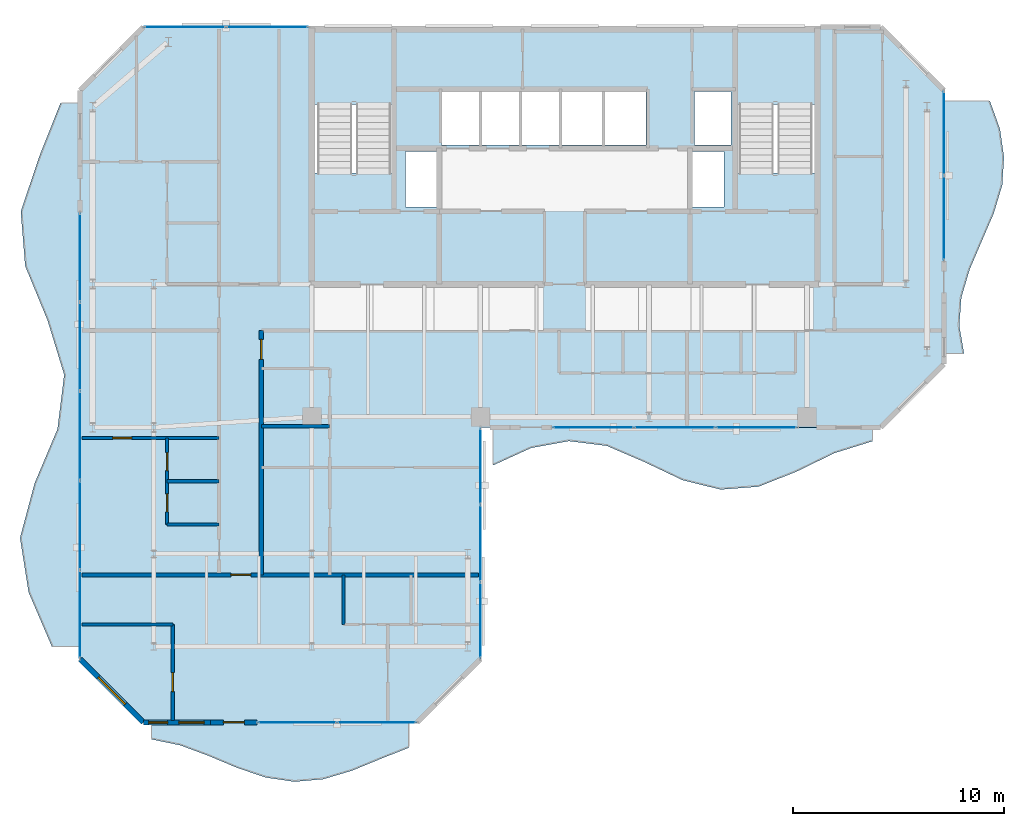
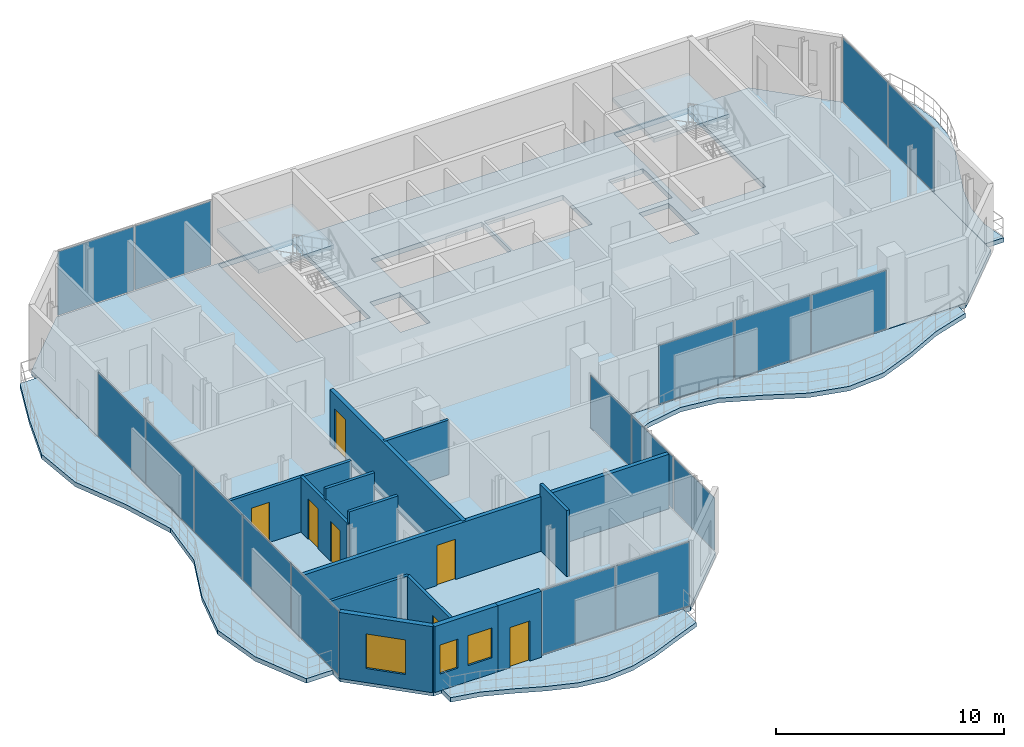
# One storey, part 17 of 22: 17 plates, 13 walls, 7 doors, 7 slabs, 3 windows, 10 openings, 8 elements without a shape of their own.
"""IFC4 building model written with IfcOpenShell, lengths in metres."""

from ifc_helpers import new_model, si_unit, direction, frame, frame_2d, origin, origin_2d, place, context, subcontext, project, spatial, polyline, rectangle, outline, extrude, material, layer, layer_set, type_object, element, fill, aggregate, save


model = new_model("IFC4")

# Units and contexts
model_context = context("Model", 3, precision=1e-05, world=origin(), true_north=direction((0.0, 1.0)))
body_context = subcontext(model_context, "Body", "Model", "MODEL_VIEW")
ifc_project = project(units=[si_unit("LENGTHUNIT", "METRE"), si_unit("AREAUNIT", "SQUARE_METRE"), si_unit("VOLUMEUNIT", "CUBIC_METRE"), si_unit("PLANEANGLEUNIT", "RADIAN"), si_unit("MASSUNIT", "GRAM", prefix="KILO")], contexts=[model_context])

# Site, building, storey
site_placement = place(None, origin())
site = spatial("IfcSite", under=ifc_project, at=site_placement, CompositionType="ELEMENT")
building_placement = place(site_placement, origin())
building = spatial("IfcBuilding", under=site, at=building_placement, Name="Catumbela Crestline Tower", CompositionType="ELEMENT")
storey_placement = place(building_placement, frame((0.0, 0.0, 218.4)))
storey = spatial("IfcBuildingStorey", under=building, at=storey_placement, Name="L56", CompositionType="ELEMENT", Elevation=218.4)

# Curtain wall, plates
ifc_material_1 = material(Name="Aluminium alloy AW-6060-T66", Category="aluminium")
ifc_layer_1 = layer(ifc_material_1, 0.18, Name="Aluminium alloy AW-6060-T66")
ifc_layer_set_1 = layer_set([ifc_layer_1], Name="Aluminium alloy AW-6060-T66")
curtain_wall_type = type_object("IfcCurtainWallType", Name="CWU-Z4", PredefinedType="USERDEFINED", material=ifc_layer_set_1)
curtain_wall_1_placement = place(storey_placement, origin())
curtain_wall_1 = element("IfcCurtainWall", 1, at=curtain_wall_1_placement, inside=storey, type_object=curtain_wall_type, Name="L56 Unitised Curtain Wall CW-L56-E0S2", ObjectType="UNITISED", PredefinedType="USERDEFINED")
ifc_material_2 = material(Name="Low-E laminated solar-control double glazing", Category="glass")
ifc_layer_2 = layer(ifc_material_2, 0.036, Name="Low-E laminated solar-control double glazing")
ifc_layer_set_2 = layer_set([ifc_layer_2], Name="Low-E laminated solar-control double glazing")
plate_type = type_object("IfcPlateType", Name="PNL-GLZ-Z4", PredefinedType="CURTAIN_PANEL", material=ifc_layer_set_2)
plate_1_placement = place(storey_placement, frame((15.3162, 10.0, 0.06), z_axis=(0.0, 0.0, 1.0), x_axis=(1.0, 0.0, 0.0)))
plate_1 = element("IfcPlate", 2, at=plate_1_placement, type_object=plate_type, Name="CWU-Z4 panel 1.1", PredefinedType="CURTAIN_PANEL", context=body_context, shape_type="SweptSolid", body=[
    extrude(rectangle(XDim=3.7025, YDim=0.034, at=origin_2d()), origin(), (0.0, 0.0, 1.0), 3.41),
])
plate_2_placement = place(storey_placement, frame((19.0837, 10.0, 0.06), z_axis=(0.0, 0.0, 1.0), x_axis=(1.0, 0.0, 0.0)))
plate_2 = element("IfcPlate", 3, at=plate_2_placement, type_object=plate_type, Name="CWU-Z4 panel 2.1", PredefinedType="CURTAIN_PANEL", context=body_context, shape_type="SweptSolid", body=[
    extrude(rectangle(XDim=3.7025, YDim=0.034, at=origin_2d()), origin(), (0.0, 0.0, 1.0), 3.41),
])
aggregate(curtain_wall_1, [plate_1, plate_2])

curtain_wall_2_placement = place(storey_placement, origin())
curtain_wall_2 = element("IfcCurtainWall", 4, at=curtain_wall_2_placement, inside=storey, type_object=curtain_wall_type, Name="L56 Unitised Curtain Wall CW-L56-E2S1", ObjectType="UNITISED", PredefinedType="USERDEFINED")
plate_3_placement = place(storey_placement, frame((24.0, 14.8496, 0.06), z_axis=(0.0, 0.0, 1.0), x_axis=(0.0, 1.0, 0.0)))
plate_3 = element("IfcPlate", 5, at=plate_3_placement, type_object=plate_type, Name="CWU-Z4 panel 1.1", PredefinedType="CURTAIN_PANEL", context=body_context, shape_type="SweptSolid", body=[
    extrude(rectangle(XDim=3.5692, YDim=0.034, at=origin_2d()), origin(), (0.0, 0.0, 1.0), 2.8),
])
plate_4_placement = place(storey_placement, frame((24.0, 18.5, 0.06), z_axis=(0.0, 0.0, 1.0), x_axis=(0.0, 1.0, 0.0)))
plate_4 = element("IfcPlate", 6, at=plate_4_placement, type_object=plate_type, Name="CWU-Z4 panel 2.1", PredefinedType="CURTAIN_PANEL", context=body_context, shape_type="SweptSolid", body=[
    extrude(rectangle(XDim=3.6017, YDim=0.034, at=origin_2d()), origin(), (0.0, 0.0, 1.0), 2.8),
])
plate_5_placement = place(storey_placement, frame((24.0, 22.1504, 0.06), z_axis=(0.0, 0.0, 1.0), x_axis=(0.0, 1.0, 0.0)))
plate_5 = element("IfcPlate", 7, at=plate_5_placement, type_object=plate_type, Name="CWU-Z4 panel 3.1", PredefinedType="CURTAIN_PANEL", context=body_context, shape_type="SweptSolid", body=[
    extrude(rectangle(XDim=3.5692, YDim=0.034, at=origin_2d()), origin(), (0.0, 0.0, 1.0), 2.8),
])
aggregate(curtain_wall_2, [plate_3, plate_4, plate_5])

curtain_wall_3_placement = place(storey_placement, origin())
curtain_wall_3 = element("IfcCurtainWall", 8, at=curtain_wall_3_placement, inside=storey, type_object=curtain_wall_type, Name="L56 Unitised Curtain Wall CW-L56-E3S2", ObjectType="UNITISED", PredefinedType="USERDEFINED")
plate_6_placement = place(storey_placement, frame((29.3579, 24.0, 0.06), z_axis=(0.0, 0.0, 1.0), x_axis=(1.0, 0.0, 0.0)))
plate_6 = element("IfcPlate", 9, at=plate_6_placement, type_object=plate_type, Name="CWU-Z4 panel 1.1", PredefinedType="CURTAIN_PANEL", context=body_context, shape_type="SweptSolid", body=[
    extrude(rectangle(XDim=3.7858, YDim=0.034, at=origin_2d()), origin(), (0.0, 0.0, 1.0), 3.12),
])
plate_7_placement = place(storey_placement, frame((33.225, 24.0, 0.06), z_axis=(0.0, 0.0, 1.0), x_axis=(1.0, 0.0, 0.0)))
plate_7 = element("IfcPlate", 10, at=plate_7_placement, type_object=plate_type, Name="CWU-Z4 panel 2.1", PredefinedType="CURTAIN_PANEL", context=body_context, shape_type="SweptSolid", body=[
    extrude(rectangle(XDim=3.8183, YDim=0.034, at=origin_2d()), origin(), (0.0, 0.0, 1.0), 3.12),
])
plate_8_placement = place(storey_placement, frame((37.0921, 24.0, 0.06), z_axis=(0.0, 0.0, 1.0), x_axis=(1.0, 0.0, 0.0)))
plate_8 = element("IfcPlate", 11, at=plate_8_placement, type_object=plate_type, Name="CWU-Z4 panel 3.1", PredefinedType="CURTAIN_PANEL", context=body_context, shape_type="SweptSolid", body=[
    extrude(rectangle(XDim=3.7858, YDim=0.034, at=origin_2d()), origin(), (0.0, 0.0, 1.0), 3.12),
])
aggregate(curtain_wall_3, [plate_6, plate_7, plate_8])

curtain_wall_4_placement = place(storey_placement, origin())
curtain_wall_4 = element("IfcCurtainWall", 12, at=curtain_wall_4_placement, inside=storey, type_object=curtain_wall_type, Name="L56 Unitised Curtain Wall CW-L56-E5S2", ObjectType="UNITISED", PredefinedType="USERDEFINED")
plate_9_placement = place(storey_placement, frame((46.0, 33.9412, 0.06), z_axis=(0.0, 0.0, 1.0), x_axis=(0.0, 1.0, 0.0)))
plate_9 = element("IfcPlate", 13, at=plate_9_placement, type_object=plate_type, Name="CWU-Z4 panel 1.1", PredefinedType="CURTAIN_PANEL", context=body_context, shape_type="SweptSolid", body=[
    extrude(rectangle(XDim=3.9525, YDim=0.034, at=origin_2d()), origin(), (0.0, 0.0, 1.0), 3.41),
])
plate_10_placement = place(storey_placement, frame((46.0, 37.9588, 0.06), z_axis=(0.0, 0.0, 1.0), x_axis=(0.0, 1.0, 0.0)))
plate_10 = element("IfcPlate", 14, at=plate_10_placement, type_object=plate_type, Name="CWU-Z4 panel 2.1", PredefinedType="CURTAIN_PANEL", context=body_context, shape_type="SweptSolid", body=[
    extrude(rectangle(XDim=3.9525, YDim=0.034, at=origin_2d()), origin(), (0.0, 0.0, 1.0), 3.41),
])
aggregate(curtain_wall_4, [plate_9, plate_10])

curtain_wall_5_placement = place(storey_placement, origin())
curtain_wall_5 = element("IfcCurtainWall", 15, at=curtain_wall_5_placement, inside=storey, type_object=curtain_wall_type, Name="L56 Unitised Curtain Wall CW-L56-E7S2", ObjectType="UNITISED", PredefinedType="USERDEFINED")
plate_11_placement = place(storey_placement, frame((13.8788, 43.0, 0.06), z_axis=(0.0, 0.0, 1.0), x_axis=(-1.0, 0.0, 0.0)))
plate_11 = element("IfcPlate", 16, at=plate_11_placement, type_object=plate_type, Name="CWU-Z4 panel 1.1", PredefinedType="CURTAIN_PANEL", context=body_context, shape_type="SweptSolid", body=[
    extrude(rectangle(XDim=3.8325, YDim=0.034, at=origin_2d()), origin(), (0.0, 0.0, 1.0), 3.41),
])
plate_12_placement = place(storey_placement, frame((9.9812, 43.0, 0.06), z_axis=(0.0, 0.0, 1.0), x_axis=(-1.0, 0.0, 0.0)))
plate_12 = element("IfcPlate", 17, at=plate_12_placement, type_object=plate_type, Name="CWU-Z4 panel 2.1", PredefinedType="CURTAIN_PANEL", context=body_context, shape_type="SweptSolid", body=[
    extrude(rectangle(XDim=3.8325, YDim=0.034, at=origin_2d()), origin(), (0.0, 0.0, 1.0), 3.41),
])
aggregate(curtain_wall_5, [plate_11, plate_12])

curtain_wall_6_placement = place(storey_placement, origin())
curtain_wall_6 = element("IfcCurtainWall", 18, at=curtain_wall_6_placement, inside=storey, type_object=curtain_wall_type, Name="L56 Unitised Curtain Wall CW-L56-E9S2", ObjectType="UNITISED", PredefinedType="USERDEFINED")
plate_13_placement = place(storey_placement, frame((5.0, 32.0638, 0.06), z_axis=(0.0, 0.0, 1.0), x_axis=(0.0, -1.0, 0.0)))
plate_13 = element("IfcPlate", 19, at=plate_13_placement, type_object=plate_type, Name="CWU-Z4 panel 1.1", PredefinedType="CURTAIN_PANEL", context=body_context, shape_type="SweptSolid", body=[
    extrude(rectangle(XDim=4.1425, YDim=0.034, at=origin_2d()), origin(), (0.0, 0.0, 1.0), 3.41),
])
plate_14_placement = place(storey_placement, frame((5.0, 27.84, 0.06), z_axis=(0.0, 0.0, 1.0), x_axis=(0.0, -1.0, 0.0)))
plate_14 = element("IfcPlate", 20, at=plate_14_placement, type_object=plate_type, Name="CWU-Z4 panel 2.1", PredefinedType="CURTAIN_PANEL", context=body_context, shape_type="SweptSolid", body=[
    extrude(rectangle(XDim=4.175, YDim=0.034, at=origin_2d()), origin(), (0.0, 0.0, 1.0), 3.41),
])
plate_15_placement = place(storey_placement, frame((5.0, 23.6, 0.06), z_axis=(0.0, 0.0, 1.0), x_axis=(0.0, -1.0, 0.0)))
plate_15 = element("IfcPlate", 21, at=plate_15_placement, type_object=plate_type, Name="CWU-Z4 panel 3.1", PredefinedType="CURTAIN_PANEL", context=body_context, shape_type="SweptSolid", body=[
    extrude(rectangle(XDim=4.175, YDim=0.034, at=origin_2d()), origin(), (0.0, 0.0, 1.0), 3.41),
])
plate_16_placement = place(storey_placement, frame((5.0, 19.36, 0.06), z_axis=(0.0, 0.0, 1.0), x_axis=(0.0, -1.0, 0.0)))
plate_16 = element("IfcPlate", 22, at=plate_16_placement, type_object=plate_type, Name="CWU-Z4 panel 4.1", PredefinedType="CURTAIN_PANEL", context=body_context, shape_type="SweptSolid", body=[
    extrude(rectangle(XDim=4.175, YDim=0.034, at=origin_2d()), origin(), (0.0, 0.0, 1.0), 3.41),
])
plate_17_placement = place(storey_placement, frame((5.0, 15.1362, 0.06), z_axis=(0.0, 0.0, 1.0), x_axis=(0.0, -1.0, 0.0)))
plate_17 = element("IfcPlate", 23, at=plate_17_placement, type_object=plate_type, Name="CWU-Z4 panel 5.1", PredefinedType="CURTAIN_PANEL", context=body_context, shape_type="SweptSolid", body=[
    extrude(rectangle(XDim=4.1425, YDim=0.034, at=origin_2d()), origin(), (0.0, 0.0, 1.0), 3.41),
])
aggregate(curtain_wall_6, [plate_13, plate_14, plate_15, plate_16, plate_17])

# Stair, slab
ifc_material_3 = material(Name="Concrete C45/55", Category="concrete")
stair_type = type_object("IfcStairType", Name="ST-DLG", PredefinedType="HALF_TURN_STAIR", material=ifc_material_3)
stair_1_placement = place(storey_placement, origin())
stair_1 = element("IfcStair", 24, at=stair_1_placement, inside=storey, type_object=stair_type, Name="L56 West Core Pressurised Exit Stair ST-01", PredefinedType="HALF_TURN_STAIR")
ifc_layer_3 = layer(ifc_material_3, 0.2, Name="Concrete C45/55")
ifc_layer_set_3 = layer_set([ifc_layer_3], Name="Concrete C45/55")
slab_type_1 = type_object("IfcSlabType", Name="SL-LND", PredefinedType="LANDING", material=ifc_layer_set_3)
slab_1_placement = place(storey_placement, frame((0.0, 0.0, 1.7)))
slab_1 = element("IfcSlab", 25, at=slab_1_placement, type_object=slab_type_1, Name="ST-01 landing 1", PredefinedType="LANDING", context=body_context, shape_type="SweptSolid", body=[
    extrude(outline(polyline([(19.91, 39.33), (19.91, 42.96), (16.09, 42.96), (16.09, 39.33), (19.91, 39.33)])), origin(), (0.0, 0.0, 1.0), 0.2),
])
aggregate(stair_1, [slab_1])

stair_2_placement = place(storey_placement, origin())
stair_2 = element("IfcStair", 26, at=stair_2_placement, inside=storey, type_object=stair_type, Name="L56 East Core Pressurised Exit Stair ST-02", PredefinedType="HALF_TURN_STAIR")
slab_2_placement = place(storey_placement, frame((0.0, 0.0, 1.7)))
slab_2 = element("IfcSlab", 27, at=slab_2_placement, type_object=slab_type_1, Name="ST-02 landing 1", PredefinedType="LANDING", context=body_context, shape_type="SweptSolid", body=[
    extrude(outline(polyline([(39.91, 39.33), (39.91, 42.96), (36.09, 42.96), (36.09, 39.33), (39.91, 39.33)])), origin(), (0.0, 0.0, 1.0), 0.2),
])
aggregate(stair_2, [slab_2])

# Slabs
ifc_layer_4 = layer(ifc_material_3, 0.26, Name="Concrete C45/55")
ifc_layer_set_4 = layer_set([ifc_layer_4], Name="Concrete C45/55")
slab_type_2 = type_object("IfcSlabType", Name="SL-260", PredefinedType="FLOOR", material=ifc_layer_set_4)
slab_3_placement = place(storey_placement, frame((0.0, 0.0, -0.26)))
element("IfcSlab", 28, at=slab_3_placement, inside=storey, type_object=slab_type_2, Name="L56 Structural Floor Slab", PredefinedType="FLOOR", context=body_context, shape_type="SweptSolid", body=[
    extrude(outline(polyline([(8.0, 10.0), (21.0, 10.0), (24.0, 13.0), (24.0, 24.0), (43.0, 24.0), (46.0, 27.0), (46.0, 40.0), (43.0, 43.0), (8.0, 43.0), (5.0, 40.0), (5.0, 13.0), (8.0, 10.0)]), holes=[polyline([(16.13, 36.08), (19.87, 36.08), (19.87, 42.92), (16.13, 42.92), (16.13, 36.08)]), polyline([(36.13, 36.08), (39.87, 36.08), (39.87, 42.92), (36.13, 42.92), (36.13, 36.08)]), polyline([(22.15, 37.4), (27.75, 37.4), (27.75, 39.95), (22.15, 39.95), (22.15, 37.4)]), polyline([(27.85, 37.4), (31.85, 37.4), (31.85, 39.95), (27.85, 39.95), (27.85, 37.4)]), polyline([(20.45, 34.45), (21.95, 34.45), (21.95, 37.1), (20.45, 37.1), (20.45, 34.45)]), polyline([(34.05, 34.45), (35.55, 34.45), (35.55, 37.1), (34.05, 37.1), (34.05, 34.45)]), polyline([(34.15, 37.4), (35.9, 37.4), (35.9, 39.95), (34.15, 39.95), (34.15, 37.4)])]), origin(), (0.0, 0.0, 1.0), 0.26),
])
ifc_layer_5 = layer(ifc_material_3, 0.24, Name="Concrete C45/55")
ifc_layer_set_5 = layer_set([ifc_layer_5], Name="Concrete C45/55")
slab_type_3 = type_object("IfcSlabType", Name="SB-240W", PredefinedType="USERDEFINED", material=ifc_layer_set_5)
slab_4_placement = place(storey_placement, frame((0.0, 0.0, -0.24)))
element("IfcSlab", 29, at=slab_4_placement, inside=storey, type_object=slab_type_3, Name="L56 Cantilevered Wave Balcony Slab SPINE-S", ObjectType="BALCONY", PredefinedType="USERDEFINED", context=body_context, shape_type="SweptSolid", body=[
    extrude(outline(polyline([(24.6, 22.2), (26.4, 23.0215), (28.2, 23.35), (30.0, 23.1246), (31.8, 22.3504), (33.6, 21.4947), (35.4, 21.05), (37.2, 21.1868), (39.0, 21.9016), (40.8, 22.7781), (42.6, 23.3413), (42.6, 23.99), (24.6, 23.99), (24.6, 22.2)])), origin(), (0.0, 0.0, 1.0), 0.24),
])
slab_5_placement = place(storey_placement, frame((0.0, 0.0, -0.24)))
element("IfcSlab", 30, at=slab_5_placement, inside=storey, type_object=slab_type_3, Name="L56 Cantilevered Wave Balcony Slab SPINE-E", ObjectType="BALCONY", PredefinedType="USERDEFINED", context=body_context, shape_type="SweptSolid", body=[
    extrude(outline(polyline([(46.01, 27.5), (46.954, 27.5), (46.7268, 28.8333), (46.8257, 30.1667), (47.2208, 31.5), (47.7918, 32.8333), (48.3654, 34.1667), (48.7671, 35.5), (48.85, 36.8333), (48.6561, 38.1667), (48.1771, 39.5), (46.01, 39.5), (46.01, 27.5)])), origin(), (0.0, 0.0, 1.0), 0.24),
])
slab_6_placement = place(storey_placement, frame((0.0, 0.0, -0.24)))
element("IfcSlab", 31, at=slab_6_placement, inside=storey, type_object=slab_type_3, Name="L56 Cantilevered Wave Balcony Slab WING-S", ObjectType="BALCONY", PredefinedType="USERDEFINED", context=body_context, shape_type="SweptSolid", body=[
    extrude(outline(polyline([(8.4, 9.1933), (9.7556, 8.9128), (11.1111, 8.4086), (12.4667, 7.8389), (13.8222, 7.3826), (15.1778, 7.1827), (16.5333, 7.3022), (17.8889, 7.7034), (19.2444, 8.2605), (20.6, 8.7986), (20.6, 9.99), (8.4, 9.99), (8.4, 9.1933)])), origin(), (0.0, 0.0, 1.0), 0.24),
])
slab_7_placement = place(storey_placement, frame((0.0, 0.0, -0.24)))
element("IfcSlab", 32, at=slab_7_placement, inside=storey, type_object=slab_type_3, Name="L56 Cantilevered Wave Balcony Slab WEST", ObjectType="BALCONY", PredefinedType="USERDEFINED", context=body_context, shape_type="SweptSolid", body=[
    extrude(outline(polyline([(4.99, 39.4), (4.0726, 39.4), (3.0493, 36.82), (2.1855, 34.24), (2.3957, 31.66), (3.4573, 29.08), (4.2465, 26.5), (3.9279, 23.92), (2.8388, 21.34), (2.15, 18.76), (2.5558, 16.18), (3.6616, 13.6), (4.99, 13.6), (4.99, 39.4)])), origin(), (0.0, 0.0, 1.0), 0.24),
])

# Wall, opening, door
ifc_material_4 = material(Name="Acoustic gypsum and mineral-wool partition")
ifc_layer_6 = layer(ifc_material_4, 0.2, Name="Acoustic gypsum and mineral-wool partition")
ifc_layer_set_6 = layer_set([ifc_layer_6], Name="Acoustic gypsum and mineral-wool partition")
wall_type_1 = type_object("IfcWallType", Name="WC-200", PredefinedType="PARTITIONING", material=ifc_layer_set_6)
wall_1_placement = place(storey_placement, frame((13.6, 17.0, 0.0), z_axis=(0.0, 0.0, 1.0), x_axis=(0.0, 1.0, 0.0)))
wall_1 = element("IfcWall", 33, at=wall_1_placement, inside=storey, type_object=wall_type_1, Name="L56 Interior Partition PW-L56-WR1-ENT", PredefinedType="PARTITIONING", context=body_context, shape_type="SweptSolid", body=[
    extrude(rectangle(XDim=11.6, YDim=0.2, at=frame_2d((5.8, 0.0))), origin(), (0.0, 0.0, 1.0), 2.92),
])
opening_1_placement = place(wall_1_placement, frame((10.225, 0.0, 0.0)))
opening_1 = element("IfcOpeningElement", 34, at=opening_1_placement, cuts=wall_1, Name="Opening DF6-095", PredefinedType="OPENING", context=body_context, shape_type="SweptSolid", body=[
    extrude(rectangle(XDim=0.95, YDim=2.15, at=frame_2d((0.475, 1.075))), frame((0.0, 0.11, 0.0), z_axis=(0.0, -1.0, 0.0), x_axis=(1.0, 0.0, 0.0)), (0.0, 0.0, 1.0), 0.22),
])
door_type_1 = type_object("IfcDoorType", Name="DF6-095", OperationType="NOTDEFINED", PredefinedType="DOOR", material=ifc_material_1)
door_1_placement = place(opening_1_placement, origin())
door_1 = element("IfcDoor", 35, at=door_1_placement, inside=storey, type_object=door_type_1, Name="L56 Interior Door DR-L56-WR1-ENT", OperationType="SINGLE_SWING_LEFT", OverallHeight=2.15, OverallWidth=0.95, PredefinedType="DOOR", context=body_context, shape_type="SweptSolid", body=[
    extrude(rectangle(XDim=0.95, YDim=2.15, at=frame_2d((0.475, 1.075))), frame((0.0, 0.025, 0.0), z_axis=(0.0, -1.0, 0.0), x_axis=(1.0, 0.0, 0.0)), (0.0, 0.0, 1.0), 0.05),
])
fill(opening_1, door_1)

ifc_material_5 = material(Name="Angolan grey-ochre granite", Category="masonry")
ifc_layer_7 = layer(ifc_material_5, 0.25, Name="Angolan grey-ochre granite")
ifc_layer_set_7 = layer_set([ifc_layer_7], Name="Angolan grey-ochre granite")
wall_type_2 = type_object("IfcWallType", Name="WE-250", PredefinedType="STANDARD", material=ifc_layer_set_7)
wall_2_placement = place(storey_placement, frame((11.2, 10.0, 0.0), z_axis=(0.0, 0.0, 1.0), x_axis=(1.0, 0.0, 0.0)))
wall_2 = element("IfcWall", 36, at=wall_2_placement, inside=storey, type_object=wall_type_2, Name="L56 Exterior Threshold Portal Wall DR-L56-WBAL-3", PredefinedType="STANDARD", context=body_context, shape_type="SweptSolid", body=[
    extrude(rectangle(XDim=2.2, YDim=0.25, at=frame_2d((1.1, 0.0))), origin(), (0.0, 0.0, 1.0), 3.53),
])
opening_2_placement = place(wall_2_placement, frame((0.6, 0.0, 0.0)))
opening_2 = element("IfcOpeningElement", 37, at=opening_2_placement, cuts=wall_2, Name="Opening DB-L56-3", PredefinedType="OPENING", context=body_context, shape_type="SweptSolid", body=[
    extrude(rectangle(XDim=1.0, YDim=2.15, at=frame_2d((0.5, 1.075))), frame((0.0, 0.135, 0.0), z_axis=(0.0, -1.0, 0.0), x_axis=(1.0, 0.0, 0.0)), (0.0, 0.0, 1.0), 0.27),
])
door_type_2 = type_object("IfcDoorType", Name="DB-1000", OperationType="NOTDEFINED", PredefinedType="DOOR", material=ifc_material_1)
door_2_placement = place(opening_2_placement, origin())
door_2 = element("IfcDoor", 38, at=door_2_placement, inside=storey, type_object=door_type_2, Name="L56 Wave Balcony Terrace Door 3", OperationType="SINGLE_SWING_RIGHT", OverallHeight=2.15, OverallWidth=1.0, PredefinedType="DOOR", context=body_context, shape_type="SweptSolid", body=[
    extrude(rectangle(XDim=1.0, YDim=2.15, at=frame_2d((0.5, 1.075))), frame((0.0, 0.025, 0.0), z_axis=(0.0, -1.0, 0.0), x_axis=(1.0, 0.0, 0.0)), (0.0, 0.0, 1.0), 0.05),
])
fill(opening_2, door_2)

# Wall, openings, windows
wall_3_placement = place(storey_placement, frame((8.0, 10.0, 0.0), z_axis=(0.0, 0.0, 1.0), x_axis=(1.0, 0.0, 0.0)))
wall_3 = element("IfcWall", 39, at=wall_3_placement, inside=storey, type_object=wall_type_2, Name="L56 Granite Punched Window Wall 0-1", PredefinedType="STANDARD", context=body_context, shape_type="SweptSolid", body=[
    extrude(rectangle(XDim=3.2, YDim=0.25, at=frame_2d((1.6, 0.0))), origin(), (0.0, 0.0, 1.0), 3.53),
])
opening_3_placement = place(wall_3_placement, frame((0.26, 0.0, 0.9)))
opening_3 = element("IfcOpeningElement", 40, at=opening_3_placement, cuts=wall_3, Name="Opening WN-03", PredefinedType="OPENING", context=body_context, shape_type="SweptSolid", body=[
    extrude(rectangle(XDim=0.9, YDim=1.55, at=frame_2d((0.45, 0.775))), frame((0.0, 0.135, 0.0), z_axis=(0.0, -1.0, 0.0), x_axis=(1.0, 0.0, 0.0)), (0.0, 0.0, 1.0), 0.27),
])
opening_4_placement = place(wall_3_placement, frame((1.69, 0.0, 0.85)))
opening_4 = element("IfcOpeningElement", 41, at=opening_4_placement, cuts=wall_3, Name="Opening WN-02", PredefinedType="OPENING", context=body_context, shape_type="SweptSolid", body=[
    extrude(rectangle(XDim=1.2, YDim=1.6, at=frame_2d((0.6, 0.8))), frame((0.0, 0.135, 0.0), z_axis=(0.0, -1.0, 0.0), x_axis=(1.0, 0.0, 0.0)), (0.0, 0.0, 1.0), 0.27),
])
window_type_1 = type_object("IfcWindowType", Name="WO-0900", PartitioningType="SINGLE_PANEL", PredefinedType="WINDOW", material=ifc_material_2)
window_1_placement = place(opening_3_placement, origin())
window_1 = element("IfcWindow", 42, at=window_1_placement, inside=storey, type_object=window_type_1, Name="L56 Facade Vision Window 379", OverallHeight=1.55, OverallWidth=0.9, PartitioningType="SINGLE_PANEL", PredefinedType="WINDOW", context=body_context, shape_type="SweptSolid", body=[
    extrude(rectangle(XDim=0.9, YDim=1.55, at=frame_2d((0.45, 0.775))), frame((0.0, 0.03, 0.0), z_axis=(0.0, -1.0, 0.0), x_axis=(1.0, 0.0, 0.0)), (0.0, 0.0, 1.0), 0.06),
])
fill(opening_3, window_1)
window_type_2 = type_object("IfcWindowType", Name="WO-1200", PartitioningType="SINGLE_PANEL", PredefinedType="WINDOW", material=ifc_material_2)
window_2_placement = place(opening_4_placement, origin())
window_2 = element("IfcWindow", 43, at=window_2_placement, inside=storey, type_object=window_type_2, Name="L56 Facade Vision Window 380", OverallHeight=1.6, OverallWidth=1.2, PartitioningType="SINGLE_PANEL", PredefinedType="WINDOW", context=body_context, shape_type="SweptSolid", body=[
    extrude(rectangle(XDim=1.2, YDim=1.6, at=frame_2d((0.6, 0.8))), frame((0.0, 0.03, 0.0), z_axis=(0.0, -1.0, 0.0), x_axis=(1.0, 0.0, 0.0)), (0.0, 0.0, 1.0), 0.06),
])
fill(opening_4, window_2)

# Wall, opening, window
wall_4_placement = place(storey_placement, frame((5.0, 13.0, 0.0), z_axis=(0.0, 0.0, 1.0), x_axis=(0.707106781187, -0.707106781187, 0.0)))
wall_4 = element("IfcWall", 44, at=wall_4_placement, inside=storey, type_object=wall_type_2, Name="L56 Granite Punched Window Wall 10-1", PredefinedType="STANDARD", context=body_context, shape_type="SweptSolid", body=[
    extrude(rectangle(XDim=4.2426, YDim=0.25, at=frame_2d((2.1213, 0.0))), origin(), (0.0, 0.0, 1.0), 3.53),
])
opening_5_placement = place(wall_4_placement, frame((1.2213, 0.0, 0.75)))
opening_5 = element("IfcOpeningElement", 45, at=opening_5_placement, cuts=wall_4, Name="Opening WN-01", PredefinedType="OPENING", context=body_context, shape_type="SweptSolid", body=[
    extrude(rectangle(XDim=1.8, YDim=1.85, at=frame_2d((0.9, 0.925))), frame((0.0, 0.135, 0.0), z_axis=(0.0, -1.0, 0.0), x_axis=(1.0, 0.0, 0.0)), (0.0, 0.0, 1.0), 0.27),
])
window_type_3 = type_object("IfcWindowType", Name="WF-1800", PartitioningType="SINGLE_PANEL", PredefinedType="WINDOW", material=ifc_material_2)
window_3_placement = place(opening_5_placement, origin())
window_3 = element("IfcWindow", 46, at=window_3_placement, inside=storey, type_object=window_type_3, Name="L56 Facade Vision Window 389", OverallHeight=1.85, OverallWidth=1.8, PartitioningType="SINGLE_PANEL", PredefinedType="WINDOW", context=body_context, shape_type="SweptSolid", body=[
    extrude(rectangle(XDim=1.8, YDim=1.85, at=frame_2d((0.9, 0.925))), frame((0.0, 0.03, 0.0), z_axis=(0.0, -1.0, 0.0), x_axis=(1.0, 0.0, 0.0)), (0.0, 0.0, 1.0), 0.06),
])
fill(opening_5, window_3)

# Walls
ifc_layer_8 = layer(ifc_material_4, 0.15, Name="Acoustic gypsum and mineral-wool partition")
ifc_layer_set_8 = layer_set([ifc_layer_8], Name="Acoustic gypsum and mineral-wool partition")
wall_type_3 = type_object("IfcWallType", Name="WP-150", PredefinedType="PARTITIONING", material=ifc_layer_set_8)
for number, where, z_axis, x_axis, name in (
    (47, (9.13, 19.396, 0.0), (0.0, 0.0, 1.0), (1.0, 0.0, 0.0), "L56 Interior Partition PW-L56-WL1-KBS"),
    (48, (9.13, 21.446, 0.0), (0.0, 0.0, 1.0), (1.0, 0.0, 0.0), "L56 Interior Partition PW-L56-WL1-KBM"),
):
    element("IfcWall", number, at=place(storey_placement, frame(where, z_axis=z_axis, x_axis=x_axis)), inside=storey, type_object=wall_type_3, Name=name, PredefinedType="PARTITIONING", context=body_context, shape_type="SweptSolid", body=[
        extrude(rectangle(XDim=2.47, YDim=0.15, at=frame_2d((1.235, 0.0))), origin(), (0.0, 0.0, 1.0), 3.53),
    ])

# Wall, opening, door
wall_5_placement = place(storey_placement, frame((5.1, 23.496, 0.0), z_axis=(0.0, 0.0, 1.0), x_axis=(1.0, 0.0, 0.0)))
wall_5 = element("IfcWall", 49, at=wall_5_placement, inside=storey, type_object=wall_type_3, Name="L56 Interior Partition PW-L56-WL1-KBN", PredefinedType="PARTITIONING", context=body_context, shape_type="SweptSolid", body=[
    extrude(rectangle(XDim=6.5, YDim=0.15, at=frame_2d((3.25, 0.0))), origin(), (0.0, 0.0, 1.0), 2.92),
])
opening_6_placement = place(wall_5_placement, frame((1.4533, 0.0, 0.0)))
opening_6 = element("IfcOpeningElement", 50, at=opening_6_placement, cuts=wall_5, Name="Opening DI-090", PredefinedType="OPENING", context=body_context, shape_type="SweptSolid", body=[
    extrude(rectangle(XDim=0.9, YDim=2.15, at=frame_2d((0.45, 1.075))), frame((0.0, 0.085, 0.0), z_axis=(0.0, -1.0, 0.0), x_axis=(1.0, 0.0, 0.0)), (0.0, 0.0, 1.0), 0.17),
])
door_type_3 = type_object("IfcDoorType", Name="DI-090", OperationType="NOTDEFINED", PredefinedType="DOOR", material=ifc_material_1)
door_3_placement = place(opening_6_placement, origin())
door_3 = element("IfcDoor", 51, at=door_3_placement, inside=storey, type_object=door_type_3, Name="L56 Interior Door DR-L56-WL1-BD1", OperationType="SINGLE_SWING_RIGHT", OverallHeight=2.15, OverallWidth=0.9, PredefinedType="DOOR", context=body_context, shape_type="SweptSolid", body=[
    extrude(rectangle(XDim=0.9, YDim=2.15, at=frame_2d((0.45, 1.075))), frame((0.0, 0.025, 0.0), z_axis=(0.0, -1.0, 0.0), x_axis=(1.0, 0.0, 0.0)), (0.0, 0.0, 1.0), 0.05),
])
fill(opening_6, door_3)

# Wall, openings, doors
wall_6_placement = place(storey_placement, frame((9.13, 19.396, 0.0), z_axis=(0.0, 0.0, 1.0), x_axis=(0.0, 1.0, 0.0)))
wall_6 = element("IfcWall", 52, at=wall_6_placement, inside=storey, type_object=wall_type_3, Name="L56 Interior Partition PW-L56-WL1-LK", PredefinedType="PARTITIONING", context=body_context, shape_type="SweptSolid", body=[
    extrude(rectangle(XDim=4.1, YDim=0.15, at=frame_2d((2.05, 0.0))), origin(), (0.0, 0.0, 1.0), 2.92),
])
opening_7_placement = place(wall_6_placement, frame((0.6, 0.0, 0.0)))
opening_7 = element("IfcOpeningElement", 53, at=opening_7_placement, cuts=wall_6, Name="Opening DI-085", PredefinedType="OPENING", context=body_context, shape_type="SweptSolid", body=[
    extrude(rectangle(XDim=0.85, YDim=2.15, at=frame_2d((0.425, 1.075))), frame((0.0, 0.085, 0.0), z_axis=(0.0, -1.0, 0.0), x_axis=(1.0, 0.0, 0.0)), (0.0, 0.0, 1.0), 0.17),
])
opening_8_placement = place(wall_6_placement, frame((2.5529, 0.0, 0.0)))
opening_8 = element("IfcOpeningElement", 54, at=opening_8_placement, cuts=wall_6, Name="Opening DI-085", PredefinedType="OPENING", context=body_context, shape_type="SweptSolid", body=[
    extrude(rectangle(XDim=0.85, YDim=2.15, at=frame_2d((0.425, 1.075))), frame((0.0, 0.085, 0.0), z_axis=(0.0, -1.0, 0.0), x_axis=(1.0, 0.0, 0.0)), (0.0, 0.0, 1.0), 0.17),
])
door_type_4 = type_object("IfcDoorType", Name="DI-085", OperationType="NOTDEFINED", PredefinedType="DOOR", material=ifc_material_1)
door_4_placement = place(opening_7_placement, origin())
door_4 = element("IfcDoor", 55, at=door_4_placement, inside=storey, type_object=door_type_4, Name="L56 Interior Door DR-L56-WL1-KIT", OperationType="SINGLE_SWING_LEFT", OverallHeight=2.15, OverallWidth=0.85, PredefinedType="DOOR", context=body_context, shape_type="SweptSolid", body=[
    extrude(rectangle(XDim=0.85, YDim=2.15, at=frame_2d((0.425, 1.075))), frame((0.0, 0.025, 0.0), z_axis=(0.0, -1.0, 0.0), x_axis=(1.0, 0.0, 0.0)), (0.0, 0.0, 1.0), 0.05),
])
fill(opening_7, door_4)
door_5_placement = place(opening_8_placement, origin())
door_5 = element("IfcDoor", 56, at=door_5_placement, inside=storey, type_object=door_type_4, Name="L56 Interior Door DR-L56-WL1-BTH", OperationType="SINGLE_SWING_LEFT", OverallHeight=2.15, OverallWidth=0.85, PredefinedType="DOOR", context=body_context, shape_type="SweptSolid", body=[
    extrude(rectangle(XDim=0.85, YDim=2.15, at=frame_2d((0.425, 1.075))), frame((0.0, 0.025, 0.0), z_axis=(0.0, -1.0, 0.0), x_axis=(1.0, 0.0, 0.0)), (0.0, 0.0, 1.0), 0.05),
])
fill(opening_8, door_5)

# Walls
wall_7_placement = place(storey_placement, frame((13.6, 24.054, 0.0), z_axis=(0.0, 0.0, 1.0), x_axis=(1.0, 0.0, 0.0)))
element("IfcWall", 57, at=wall_7_placement, inside=storey, type_object=wall_type_3, Name="L56 Interior Partition PW-L56-WR1-KBM", PredefinedType="PARTITIONING", context=body_context, shape_type="SweptSolid", body=[
    extrude(rectangle(XDim=3.25, YDim=0.15, at=frame_2d((1.625, 0.0))), origin(), (0.0, 0.0, 1.0), 2.92),
])
wall_8_placement = place(storey_placement, frame((17.5, 14.65, 0.0), z_axis=(0.0, 0.0, 1.0), x_axis=(0.0, 1.0, 0.0)))
element("IfcWall", 58, at=wall_8_placement, inside=storey, type_object=wall_type_3, Name="L56 Interior Partition PW-L56-SH1-KBW", PredefinedType="PARTITIONING", context=body_context, shape_type="SweptSolid", body=[
    extrude(rectangle(XDim=2.35, YDim=0.15, at=frame_2d((1.175, 0.0))), origin(), (0.0, 0.0, 1.0), 3.53),
])
wall_9_placement = place(storey_placement, frame((5.1, 14.65, 0.0), z_axis=(0.0, 0.0, 1.0), x_axis=(1.0, 0.0, 0.0)))
element("IfcWall", 59, at=wall_9_placement, inside=storey, type_object=wall_type_3, Name="L56 Interior Partition PW-L56-SH1-BDLH", PredefinedType="PARTITIONING", context=body_context, shape_type="SweptSolid", body=[
    extrude(rectangle(XDim=4.3, YDim=0.15, at=frame_2d((2.15, 0.0))), origin(), (0.0, 0.0, 1.0), 2.92),
])

# Wall, opening, door
wall_10_placement = place(storey_placement, frame((9.4, 10.1, 0.0), z_axis=(0.0, 0.0, 1.0), x_axis=(0.0, 1.0, 0.0)))
wall_10 = element("IfcWall", 60, at=wall_10_placement, inside=storey, type_object=wall_type_3, Name="L56 Interior Partition PW-L56-SH1-BDL", PredefinedType="PARTITIONING", context=body_context, shape_type="SweptSolid", body=[
    extrude(rectangle(XDim=4.55, YDim=0.15, at=frame_2d((2.275, 0.0))), origin(), (0.0, 0.0, 1.0), 2.92),
])
opening_9_placement = place(wall_10_placement, frame((1.3648, 0.0, 0.0)))
opening_9 = element("IfcOpeningElement", 61, at=opening_9_placement, cuts=wall_10, Name="Opening DI-090", PredefinedType="OPENING", context=body_context, shape_type="SweptSolid", body=[
    extrude(rectangle(XDim=0.9, YDim=2.15, at=frame_2d((0.45, 1.075))), frame((0.0, 0.085, 0.0), z_axis=(0.0, -1.0, 0.0), x_axis=(1.0, 0.0, 0.0)), (0.0, 0.0, 1.0), 0.17),
])
door_6_placement = place(opening_9_placement, origin())
door_6 = element("IfcDoor", 62, at=door_6_placement, inside=storey, type_object=door_type_3, Name="L56 Interior Door DR-L56-SH1-BD1", OperationType="SINGLE_SWING_LEFT", OverallHeight=2.15, OverallWidth=0.9, PredefinedType="DOOR", context=body_context, shape_type="SweptSolid", body=[
    extrude(rectangle(XDim=0.9, YDim=2.15, at=frame_2d((0.45, 1.075))), frame((0.0, 0.025, 0.0), z_axis=(0.0, -1.0, 0.0), x_axis=(1.0, 0.0, 0.0)), (0.0, 0.0, 1.0), 0.05),
])
fill(opening_9, door_6)

ifc_layer_9 = layer(ifc_material_4, 0.2, Name="Acoustic gypsum and mineral-wool partition")
ifc_layer_set_9 = layer_set([ifc_layer_9], Name="Acoustic gypsum and mineral-wool partition")
wall_type_4 = type_object("IfcWallType", Name="WY-200", PredefinedType="PARTITIONING", material=ifc_layer_set_9)
wall_11_placement = place(storey_placement, frame((5.1, 17.0, 0.0), z_axis=(0.0, 0.0, 1.0), x_axis=(1.0, 0.0, 0.0)))
wall_11 = element("IfcWall", 63, at=wall_11_placement, inside=storey, type_object=wall_type_4, Name="L56 Interior Partition PW-L56-SH-WL", PredefinedType="PARTITIONING", context=body_context, shape_type="SweptSolid", body=[
    extrude(rectangle(XDim=18.8, YDim=0.2, at=frame_2d((9.4, 0.0))), origin(), (0.0, 0.0, 1.0), 2.92),
])
opening_10_placement = place(wall_11_placement, frame((7.0626, 0.0, 0.0)))
opening_10 = element("IfcOpeningElement", 64, at=opening_10_placement, cuts=wall_11, Name="Opening DF6-095", PredefinedType="OPENING", context=body_context, shape_type="SweptSolid", body=[
    extrude(rectangle(XDim=0.95, YDim=2.15, at=frame_2d((0.475, 1.075))), frame((0.0, 0.11, 0.0), z_axis=(0.0, -1.0, 0.0), x_axis=(1.0, 0.0, 0.0)), (0.0, 0.0, 1.0), 0.22),
])
door_7_placement = place(opening_10_placement, origin())
door_7 = element("IfcDoor", 65, at=door_7_placement, inside=storey, type_object=door_type_1, Name="L56 Interior Door DR-L56-SH1-ENT", OperationType="SINGLE_SWING_LEFT", OverallHeight=2.15, OverallWidth=0.95, PredefinedType="DOOR", context=body_context, shape_type="SweptSolid", body=[
    extrude(rectangle(XDim=0.95, YDim=2.15, at=frame_2d((0.475, 1.075))), frame((0.0, 0.025, 0.0), z_axis=(0.0, -1.0, 0.0), x_axis=(1.0, 0.0, 0.0)), (0.0, 0.0, 1.0), 0.05),
])
fill(opening_10, door_7)

save(model, "model.ifc")
